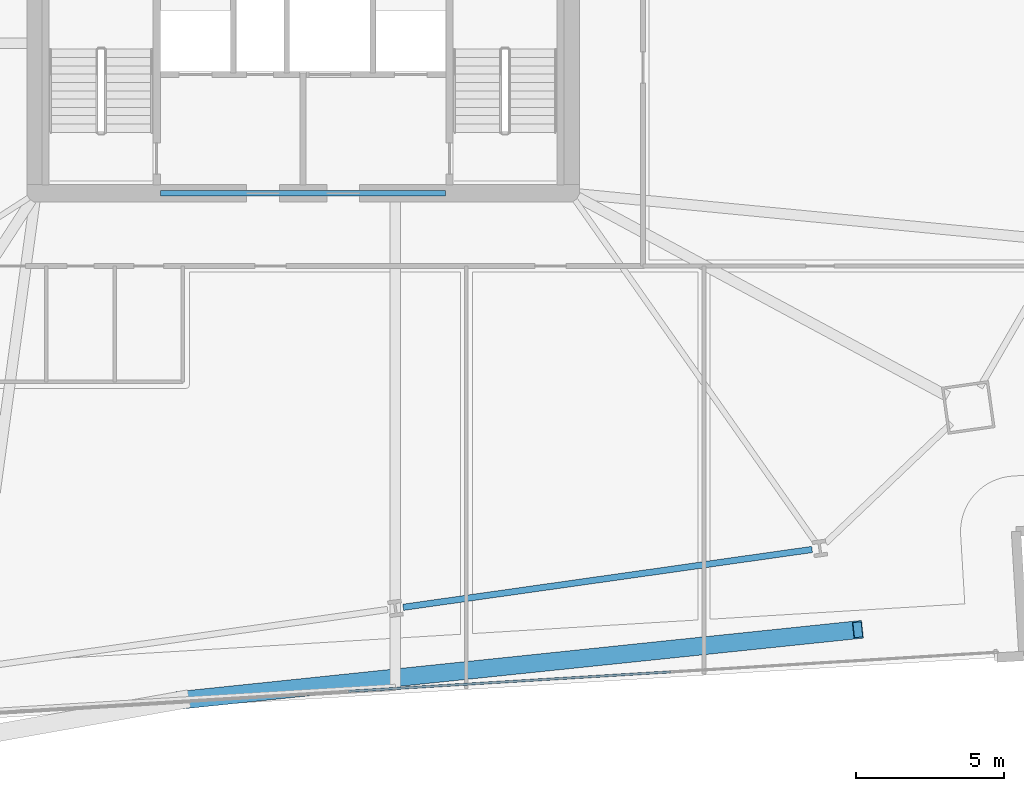
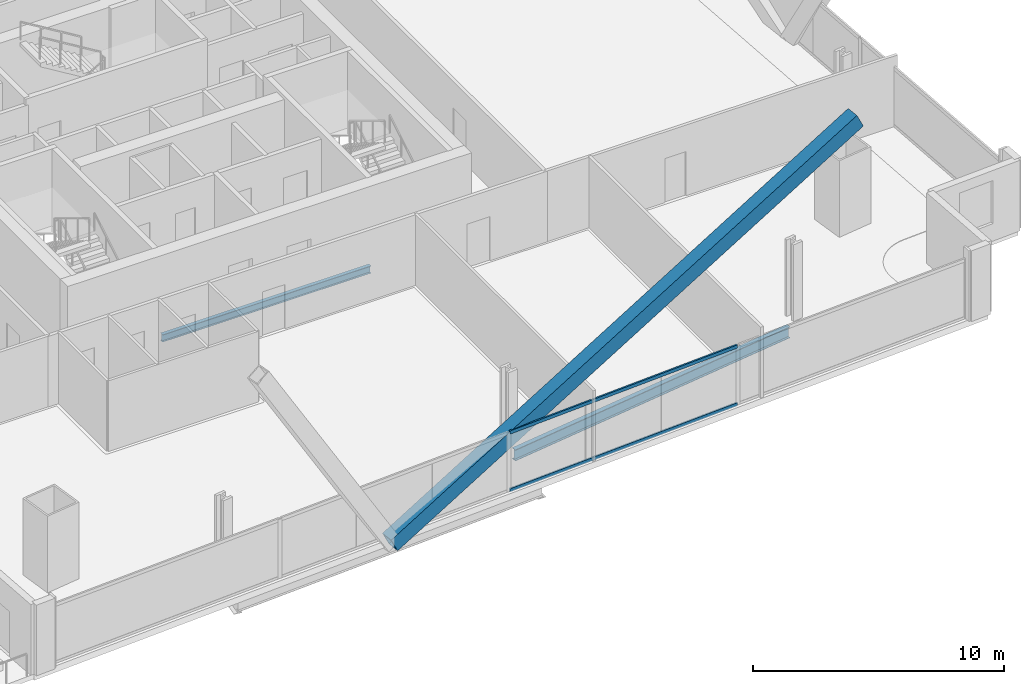
# One storey, part 8 of 34: 3 members, 2 beams, 1 element without a shape of its own.
"""IFC4 building model written with IfcOpenShell, lengths in metres."""

import ifcopenshell
import ifcopenshell.guid

model = None  # the IFC model being written
_history = None  # IfcOwnerHistory: only IFC2X3 demands one
_inside = {}  # id of a spatial element -> (the spatial element, [elements in it])
_under = {}  # id of a project, library or spatial element -> (it, [spatial elements below it])
_declared = {}  # id of a project -> (the project, [libraries it declares])
_typed = {}  # id of a type object -> (the type object, [elements of that type])
_made_of = {}  # id of a material, layer set ... -> (it, [elements and type objects made of it])


def new_model(schema):
    """Start an empty IFC model of exactly this schema.

    Asked for "IFC4X3", IfcOpenShell would pick the latest addendum, in which some entities
    have other attributes; the version numbers below select the first issue.
    IFC2X3 requires an IfcOwnerHistory on every rooted entity: one is made here for all.
    """
    global model, _history
    if schema == "IFC4X3":
        model = ifcopenshell.file(schema_version=(4, 3, 0, 0))
    else:
        model = ifcopenshell.file(schema=schema)
    _inside.clear()
    _under.clear()
    _declared.clear()
    _typed.clear()
    _made_of.clear()
    _history = None
    if model.schema == "IFC2X3":
        org = make("IfcOrganization", Name="unknown")
        user = make(
            "IfcPersonAndOrganization",
            ThePerson=make("IfcPerson", FamilyName="unknown"),
            TheOrganization=org,
        )
        app = make(
            "IfcApplication",
            ApplicationDeveloper=org,
            Version="unknown",
            ApplicationFullName="unknown",
            ApplicationIdentifier="unknown",
        )
        _history = make(
            "IfcOwnerHistory",
            OwningUser=user,
            OwningApplication=app,
            ChangeAction="ADDED",
            CreationDate=0,
        )
    return model


def make(cls, **values):
    """One entity of the class cls with the attributes given. An attribute that is None is left unset."""
    return model.create_entity(
        cls, **{name: value for name, value in values.items() if value is not None}
    )


def rooted(cls, **values):
    """An entity with a GlobalId (a new one), such as an element, a storey or a relation."""
    return make(cls, GlobalId=ifcopenshell.guid.new(), OwnerHistory=_history, **values)


def si_unit(unit_type, name, prefix=None):
    """IfcSIUnit, for example si_unit("LENGTHUNIT", "METRE", prefix="MILLI")."""
    return make("IfcSIUnit", UnitType=unit_type, Prefix=prefix, Name=name)


def assignment(units):
    """IfcUnitAssignment: the units of a project."""
    return None if units is None else make("IfcUnitAssignment", Units=units)


def point(xyz):
    """IfcCartesianPoint."""
    return None if xyz is None else make("IfcCartesianPoint", Coordinates=xyz)


def direction(xyz):
    """IfcDirection."""
    return None if xyz is None else make("IfcDirection", DirectionRatios=xyz)


def frame(location, z_axis=None, x_axis=None):
    """IfcAxis2Placement3D, a coordinate frame: its origin and axes. An axis left out is left unset."""
    return make(
        "IfcAxis2Placement3D",
        Location=point(location),
        Axis=direction(z_axis),
        RefDirection=direction(x_axis),
    )


def frame_2d(location, x_axis=None):
    """IfcAxis2Placement2D, a coordinate frame in the plane: its origin and x axis."""
    return make(
        "IfcAxis2Placement2D", Location=point(location), RefDirection=direction(x_axis)
    )


def origin():
    """The frame at (0, 0, 0) with its axes left unset."""
    return frame((0.0, 0.0, 0.0))


def origin_2d():
    """The frame at (0, 0) in the plane with its x axis left unset."""
    return frame_2d((0.0, 0.0))


def place(relative_to, where):
    """IfcLocalPlacement: puts the frame where relative to a parent placement (None: the world)."""
    return make(
        "IfcLocalPlacement", PlacementRelTo=relative_to, RelativePlacement=where
    )


def context(
    kind, dimensions, precision=None, world=None, true_north=None, identifier=None
):
    """IfcGeometricRepresentationContext, for example the 3D "Model" context."""
    return make(
        "IfcGeometricRepresentationContext",
        ContextIdentifier=identifier,
        ContextType=kind,
        CoordinateSpaceDimension=dimensions,
        Precision=precision,
        WorldCoordinateSystem=world,
        TrueNorth=true_north,
    )


def subcontext(parent, identifier, kind, view, scale=None):
    """IfcGeometricRepresentationSubContext, for example "Body" below "Model"."""
    return make(
        "IfcGeometricRepresentationSubContext",
        ContextIdentifier=identifier,
        ContextType=kind,
        ParentContext=parent,
        TargetScale=scale,
        TargetView=view,
    )


def project(units=None, contexts=None):
    """IfcProject with its units and contexts."""
    return rooted(
        "IfcProject",
        Name="project",
        RepresentationContexts=contexts,
        UnitsInContext=assignment(units),
    )


def spatial(cls, under=None, at=None, **own):
    """A site, building, storey or space (cls), placed at a placement, below another one or the project."""
    s = rooted(cls, ObjectPlacement=at, **own)
    if under is not None:
        _under.setdefault(under.id(), (under, []))[1].append(s)
    return s


def profile(cls, at=None, kind="AREA", **sizes):
    """A parametric profile (cls). Its sizes go by their IFC names, for example OverallWidth=200.0."""
    return make(cls, ProfileType=kind, Position=at, **sizes)


def hollow_rectangle(**sizes):
    """IfcRectangleHollowProfileDef."""
    return profile("IfcRectangleHollowProfileDef", **sizes)


def i_section(**sizes):
    """IfcIShapeProfileDef."""
    return profile("IfcIShapeProfileDef", **sizes)


def extrude(swept, where, along, depth):
    """IfcExtrudedAreaSolid: the profile swept, set in the frame where, extruded along a direction by depth."""
    return make(
        "IfcExtrudedAreaSolid",
        SweptArea=swept,
        Position=where,
        ExtrudedDirection=direction(along),
        Depth=depth,
    )


def shape(context_of_items, identifier, shape_type, items):
    """IfcShapeRepresentation: the items that make up one representation, for example the "Body"."""
    return make(
        "IfcShapeRepresentation",
        ContextOfItems=context_of_items,
        RepresentationIdentifier=identifier,
        RepresentationType=shape_type,
        Items=items,
    )


def material(Name=None, Category=None):
    """IfcMaterial."""
    return make("IfcMaterial", Name=Name, Category=Category)


def material_profile(
    of_material, cross_section, Name=None, Category=None, Priority=None
):
    """IfcMaterialProfile: a cross section and its material."""
    return make(
        "IfcMaterialProfile",
        Name=Name,
        Material=of_material,
        Profile=cross_section,
        Priority=Priority,
        Category=Category,
    )


def profile_set(profiles, Name=None, composite=None):
    """IfcMaterialProfileSet."""
    return make(
        "IfcMaterialProfileSet",
        Name=Name,
        MaterialProfiles=profiles,
        CompositeProfile=composite,
    )


def made_of(thing, what):
    """Note that an element or type object is made of a material, layer set ...; save() writes the relation."""
    if what is not None:
        _made_of.setdefault(what.id(), (what, []))[1].append(thing)
    return thing


def type_object(cls, material=None, **own):
    """A type object (cls), such as IfcWallType, which elements share."""
    return made_of(rooted(cls, **own), material)


def element(
    cls,
    number,
    at=None,
    inside=None,
    cuts=None,
    type_object=None,
    material=None,
    context=None,
    identifier="Body",
    shape_type=None,
    held_by="IfcProductDefinitionShape",
    body=None,
    shapes=None,
    **own,
):
    """One element of the class cls, such as IfcWall. Its Tag is "e" and its number.

    at: its placement. inside: the storey or other place that contains it. cuts: it is an
    opening in that element (IfcRelVoidsElement). A single representation is given by context,
    identifier, shape_type and body (its items); several are given by shapes. held_by: the class
    of the entity that holds the representations. save() writes the other relations.
    """
    e = rooted(cls, Tag="e%d" % number, ObjectPlacement=at, **own)
    if body is not None:
        shapes = [shape(context, identifier, shape_type, body)]
    if shapes is not None:
        e.Representation = make(held_by, Representations=shapes)
    if inside is not None:
        _inside.setdefault(inside.id(), (inside, []))[1].append(e)
    if cuts is not None:
        rooted(
            "IfcRelVoidsElement", RelatingBuildingElement=cuts, RelatedOpeningElement=e
        )
    if type_object is not None:
        _typed.setdefault(type_object.id(), (type_object, []))[1].append(e)
    return made_of(e, material)


def aggregate(whole, parts):
    """IfcRelAggregates: a whole, such as a stair, and the parts it consists of."""
    return rooted("IfcRelAggregates", RelatingObject=whole, RelatedObjects=parts)


def save(model, path):
    """Write the relations noted so far, then the file.

    IfcRelAggregates (storeys below a building ...), IfcRelContainedInSpatialStructure (elements
    in a storey), IfcRelDefinesByType, IfcRelAssociatesMaterial and IfcRelDeclares: one each for
    every whole, place, type object, material and project.
    """
    for whole, parts in _under.values():
        aggregate(whole, parts)
    for where, things in _inside.values():
        rooted(
            "IfcRelContainedInSpatialStructure",
            RelatedElements=things,
            RelatingStructure=where,
        )
    for kind, things in _typed.values():
        rooted("IfcRelDefinesByType", RelatedObjects=things, RelatingType=kind)
    for what, things in _made_of.values():
        rooted("IfcRelAssociatesMaterial", RelatedObjects=things, RelatingMaterial=what)
    for by, libraries in _declared.values():
        rooted("IfcRelDeclares", RelatingContext=by, RelatedDefinitions=libraries)
    model.write(path)


model = new_model("IFC4")

# Units and contexts
model_context = context("Model", 3, precision=1e-05, world=origin(), true_north=direction((0.0, 1.0)))
body_context = subcontext(model_context, "Body", "Model", "MODEL_VIEW")
ifc_project = project(units=[si_unit("LENGTHUNIT", "METRE"), si_unit("AREAUNIT", "SQUARE_METRE"), si_unit("VOLUMEUNIT", "CUBIC_METRE"), si_unit("PLANEANGLEUNIT", "RADIAN"), si_unit("MASSUNIT", "GRAM", prefix="KILO")], contexts=[model_context])

# Site, building, storey
site_placement = place(None, origin())
site = spatial("IfcSite", under=ifc_project, at=site_placement, CompositionType="ELEMENT")
building_placement = place(site_placement, origin())
building = spatial("IfcBuilding", under=site, at=building_placement, Name="Haldenkirk Collegiate Tower", CompositionType="ELEMENT")
storey_placement = place(building_placement, frame((0.0, 0.0, 40.199951171875)))
storey = spatial("IfcBuildingStorey", under=building, at=storey_placement, Name="L08", CompositionType="ELEMENT", Elevation=40.199951171875)

# Beams
ifc_material_1 = material(Name="Steel ASTM A992 Grade 50", Category="steel")
ifc_material_profile_1 = material_profile(ifc_material_1, i_section(OverallWidth=0.1708984375, OverallDepth=0.35595703125, WebThickness=0.007080078125, FlangeThickness=0.01171875, at=origin_2d()), Name="W14X34")
ifc_profile_set_1 = profile_set([ifc_material_profile_1], Name="Steel ASTM A992 Grade 50")
beam_type_1 = type_object("IfcBeamType", Name="BM-LINTEL-W14X34", PredefinedType="LINTEL", material=ifc_profile_set_1)
beam_1_placement = place(storey_placement, frame((31.199951171875, 18.0, -0.488037109375), z_axis=(1.0, 0.0, 0.0), x_axis=(0.0, 1.0, 0.0)))
element("IfcBeam", 1, at=beam_1_placement, inside=storey, type_object=beam_type_1, Name="L08 south core coupling lintel", PredefinedType="LINTEL", context=body_context, shape_type="SweptSolid", body=[
    extrude(i_section(OverallWidth=0.1708984375, OverallDepth=0.35595703125, WebThickness=0.007080078125, FlangeThickness=0.01171875, at=origin_2d()), origin(), (0.0, 0.0, 1.0), 9.60009765625),
])
ifc_material_profile_2 = material_profile(ifc_material_1, i_section(OverallWidth=0.2119140625, OverallDepth=0.5439453125, WebThickness=0.01318359375, FlangeThickness=0.021240234375, at=origin_2d()), Name="W21X83")
ifc_profile_set_2 = profile_set([ifc_material_profile_2], Name="Steel ASTM A992 Grade 50")
beam_type_2 = type_object("IfcBeamType", Name="BM-SPANDREL-W21X83", PredefinedType="SPANDREL", material=ifc_profile_set_2)
beam_2_placement = place(storey_placement, frame((39.37060546875, 4.055908203125, -0.58203125), z_axis=(0.990146197746, 0.14003752029, 0.0), x_axis=(-0.14003752029, 0.990146197746, 0.0)))
element("IfcBeam", 2, at=beam_2_placement, inside=storey, type_object=beam_type_2, Name="L08 perimeter spandrel beam 03", PredefinedType="SPANDREL", context=body_context, shape_type="SweptSolid", body=[
    extrude(i_section(OverallWidth=0.2119140625, OverallDepth=0.5439453125, WebThickness=0.01318359375, FlangeThickness=0.021240234375, at=origin_2d()), origin(), (0.0, 0.0, 1.0), 13.906982421875),
])

# Curtain wall, members
ifc_material_2 = material(Name="Anodised architectural bronze aluminium", Category="aluminium")
curtain_wall_type = type_object("IfcCurtainWallType", Name="CW-SYS2-CONCAVE", PredefinedType="USERDEFINED", material=ifc_material_2)
curtain_wall_placement = place(storey_placement, origin())
curtain_wall = element("IfcCurtainWall", 3, at=curtain_wall_placement, inside=storey, type_object=curtain_wall_type, Name="L08 South concave recessed bronze-anodised curtain wall", ObjectType="UNITISED CURTAIN WALL", PredefinedType="USERDEFINED")
ifc_material_profile_3 = material_profile(ifc_material_2, hollow_rectangle(XDim=0.074951171875, YDim=0.159912109375, WallThickness=0.0048828125, at=origin_2d()), Name="CW-TRN-02")
ifc_profile_set_3 = profile_set([ifc_material_profile_3], Name="Anodised architectural bronze aluminium")
member_type_1 = type_object("IfcMemberType", Name="CW-TRN-02", PredefinedType="USERDEFINED", material=ifc_profile_set_3)
member_1_placement = place(storey_placement, frame((48.38623046875, 1.8818359375, 0.03759765625), z_axis=(-0.998187058327, -0.060188010332, 0.0), x_axis=(0.060188010332, -0.998187058327, 0.0)))
member_1 = element("IfcMember", 4, at=member_1_placement, type_object=member_type_1, Name="CW-02 transom 2.1", ObjectType="TRANSOM", PredefinedType="USERDEFINED", context=body_context, shape_type="SweptSolid", body=[
    extrude(hollow_rectangle(XDim=0.074951171875, YDim=0.159912109375, WallThickness=0.0048828125, at=origin_2d()), origin(), (0.0, 0.0, 1.0), 10.875),
])
member_2_placement = place(storey_placement, frame((48.38623046875, 1.8818359375, 2.853515625), z_axis=(-0.998187058327, -0.060188010332, 0.0), x_axis=(0.060188010332, -0.998187058327, 0.0)))
member_2 = element("IfcMember", 5, at=member_2_placement, type_object=member_type_1, Name="CW-02 transom 2.2", ObjectType="TRANSOM", PredefinedType="USERDEFINED", context=body_context, shape_type="SweptSolid", body=[
    extrude(hollow_rectangle(XDim=0.074951171875, YDim=0.159912109375, WallThickness=0.0048828125, at=origin_2d()), origin(), (0.0, 0.0, 1.0), 10.875),
])
aggregate(curtain_wall, [member_1, member_2])

# Member
ifc_material_3 = material(Name="Steel ASTM A572 Grade 50", Category="steel")
ifc_material_profile_4 = material_profile(ifc_material_3, hollow_rectangle(XDim=0.60009765625, YDim=0.719970703125, WallThickness=0.044921875, at=origin_2d()), Name="BOX720X600X45")
ifc_profile_set_4 = profile_set([ifc_material_profile_4], Name="Steel ASTM A572 Grade 50")
member_type_2 = type_object("IfcMemberType", Name="MBR-MEGABRACE-BOX720X600X45", PredefinedType="BRACE", material=ifc_profile_set_4)
member_3_placement = place(storey_placement, frame((31.85888671875, 0.92529296875, -0.320068359375), z_axis=(0.893069423574, 0.092916210754, 0.440219925101), x_axis=(-0.103482846167, 0.994631238474, 0.0)))
element("IfcMember", 6, at=member_3_placement, inside=storey, type_object=member_type_2, Name="Perimeter Mega Brace Z1 L08-L10 SR", PredefinedType="BRACE", context=body_context, shape_type="SweptSolid", body=[
    extrude(hollow_rectangle(XDim=0.60009765625, YDim=0.719970703125, WallThickness=0.044921875, at=origin_2d()), origin(), (0.0, 0.0, 1.0), 25.555419921875),
])

save(model, "model.ifc")
